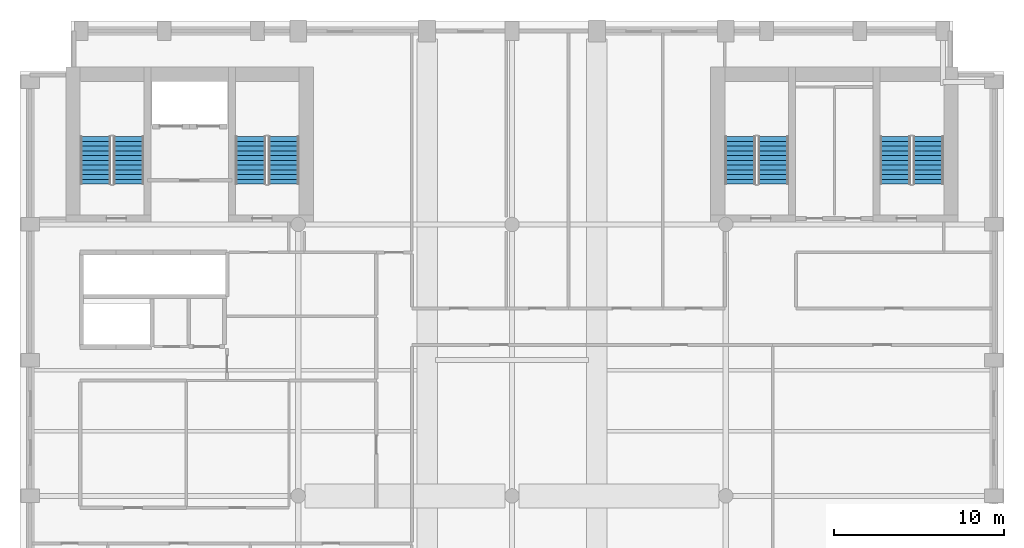
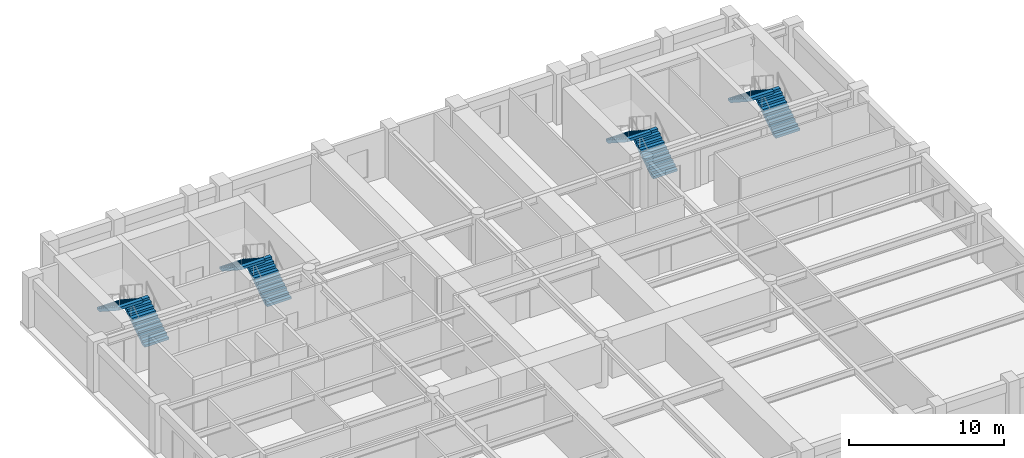
# One storey, part 6 of 8: 8 stair flights, 4 elements without a shape of their own.
"""IFC4 building model written with IfcOpenShell, lengths in metres."""

import ifcopenshell
import ifcopenshell.guid

model = None  # the IFC model being written
_history = None  # IfcOwnerHistory: only IFC2X3 demands one
_inside = {}  # id of a spatial element -> (the spatial element, [elements in it])
_under = {}  # id of a project, library or spatial element -> (it, [spatial elements below it])
_declared = {}  # id of a project -> (the project, [libraries it declares])
_typed = {}  # id of a type object -> (the type object, [elements of that type])
_made_of = {}  # id of a material, layer set ... -> (it, [elements and type objects made of it])


def new_model(schema):
    """Start an empty IFC model of exactly this schema.

    Asked for "IFC4X3", IfcOpenShell would pick the latest addendum, in which some entities
    have other attributes; the version numbers below select the first issue.
    IFC2X3 requires an IfcOwnerHistory on every rooted entity: one is made here for all.
    """
    global model, _history
    if schema == "IFC4X3":
        model = ifcopenshell.file(schema_version=(4, 3, 0, 0))
    else:
        model = ifcopenshell.file(schema=schema)
    _inside.clear()
    _under.clear()
    _declared.clear()
    _typed.clear()
    _made_of.clear()
    _history = None
    if model.schema == "IFC2X3":
        org = make("IfcOrganization", Name="unknown")
        user = make(
            "IfcPersonAndOrganization",
            ThePerson=make("IfcPerson", FamilyName="unknown"),
            TheOrganization=org,
        )
        app = make(
            "IfcApplication",
            ApplicationDeveloper=org,
            Version="unknown",
            ApplicationFullName="unknown",
            ApplicationIdentifier="unknown",
        )
        _history = make(
            "IfcOwnerHistory",
            OwningUser=user,
            OwningApplication=app,
            ChangeAction="ADDED",
            CreationDate=0,
        )
    return model


def make(cls, **values):
    """One entity of the class cls with the attributes given. An attribute that is None is left unset."""
    return model.create_entity(
        cls, **{name: value for name, value in values.items() if value is not None}
    )


def rooted(cls, **values):
    """An entity with a GlobalId (a new one), such as an element, a storey or a relation."""
    return make(cls, GlobalId=ifcopenshell.guid.new(), OwnerHistory=_history, **values)


def si_unit(unit_type, name, prefix=None):
    """IfcSIUnit, for example si_unit("LENGTHUNIT", "METRE", prefix="MILLI")."""
    return make("IfcSIUnit", UnitType=unit_type, Prefix=prefix, Name=name)


def assignment(units):
    """IfcUnitAssignment: the units of a project."""
    return None if units is None else make("IfcUnitAssignment", Units=units)


def point(xyz):
    """IfcCartesianPoint."""
    return None if xyz is None else make("IfcCartesianPoint", Coordinates=xyz)


def direction(xyz):
    """IfcDirection."""
    return None if xyz is None else make("IfcDirection", DirectionRatios=xyz)


def frame(location, z_axis=None, x_axis=None):
    """IfcAxis2Placement3D, a coordinate frame: its origin and axes. An axis left out is left unset."""
    return make(
        "IfcAxis2Placement3D",
        Location=point(location),
        Axis=direction(z_axis),
        RefDirection=direction(x_axis),
    )


def origin():
    """The frame at (0, 0, 0) with its axes left unset."""
    return frame((0.0, 0.0, 0.0))


def place(relative_to, where):
    """IfcLocalPlacement: puts the frame where relative to a parent placement (None: the world)."""
    return make(
        "IfcLocalPlacement", PlacementRelTo=relative_to, RelativePlacement=where
    )


def context(
    kind, dimensions, precision=None, world=None, true_north=None, identifier=None
):
    """IfcGeometricRepresentationContext, for example the 3D "Model" context."""
    return make(
        "IfcGeometricRepresentationContext",
        ContextIdentifier=identifier,
        ContextType=kind,
        CoordinateSpaceDimension=dimensions,
        Precision=precision,
        WorldCoordinateSystem=world,
        TrueNorth=true_north,
    )


def subcontext(parent, identifier, kind, view, scale=None):
    """IfcGeometricRepresentationSubContext, for example "Body" below "Model"."""
    return make(
        "IfcGeometricRepresentationSubContext",
        ContextIdentifier=identifier,
        ContextType=kind,
        ParentContext=parent,
        TargetScale=scale,
        TargetView=view,
    )


def project(units=None, contexts=None):
    """IfcProject with its units and contexts."""
    return rooted(
        "IfcProject",
        Name="project",
        RepresentationContexts=contexts,
        UnitsInContext=assignment(units),
    )


def spatial(cls, under=None, at=None, **own):
    """A site, building, storey or space (cls), placed at a placement, below another one or the project."""
    s = rooted(cls, ObjectPlacement=at, **own)
    if under is not None:
        _under.setdefault(under.id(), (under, []))[1].append(s)
    return s


def polyline(points):
    """IfcPolyline through the points."""
    return make("IfcPolyline", Points=[point(p) for p in points])


def outline(outer, holes=None, kind="AREA"):
    """IfcArbitraryClosedProfileDef: a profile drawn as a closed curve; with holes, ...WithVoids."""
    if holes is None:
        return make("IfcArbitraryClosedProfileDef", ProfileType=kind, OuterCurve=outer)
    return make(
        "IfcArbitraryProfileDefWithVoids",
        ProfileType=kind,
        OuterCurve=outer,
        InnerCurves=holes,
    )


def extrude(swept, where, along, depth):
    """IfcExtrudedAreaSolid: the profile swept, set in the frame where, extruded along a direction by depth."""
    return make(
        "IfcExtrudedAreaSolid",
        SweptArea=swept,
        Position=where,
        ExtrudedDirection=direction(along),
        Depth=depth,
    )


def shape(context_of_items, identifier, shape_type, items):
    """IfcShapeRepresentation: the items that make up one representation, for example the "Body"."""
    return make(
        "IfcShapeRepresentation",
        ContextOfItems=context_of_items,
        RepresentationIdentifier=identifier,
        RepresentationType=shape_type,
        Items=items,
    )


def material(Name=None, Category=None):
    """IfcMaterial."""
    return make("IfcMaterial", Name=Name, Category=Category)


def made_of(thing, what):
    """Note that an element or type object is made of a material, layer set ...; save() writes the relation."""
    if what is not None:
        _made_of.setdefault(what.id(), (what, []))[1].append(thing)
    return thing


def type_object(cls, material=None, **own):
    """A type object (cls), such as IfcWallType, which elements share."""
    return made_of(rooted(cls, **own), material)


def element(
    cls,
    number,
    at=None,
    inside=None,
    cuts=None,
    type_object=None,
    material=None,
    context=None,
    identifier="Body",
    shape_type=None,
    held_by="IfcProductDefinitionShape",
    body=None,
    shapes=None,
    **own,
):
    """One element of the class cls, such as IfcWall. Its Tag is "e" and its number.

    at: its placement. inside: the storey or other place that contains it. cuts: it is an
    opening in that element (IfcRelVoidsElement). A single representation is given by context,
    identifier, shape_type and body (its items); several are given by shapes. held_by: the class
    of the entity that holds the representations. save() writes the other relations.
    """
    e = rooted(cls, Tag="e%d" % number, ObjectPlacement=at, **own)
    if body is not None:
        shapes = [shape(context, identifier, shape_type, body)]
    if shapes is not None:
        e.Representation = make(held_by, Representations=shapes)
    if inside is not None:
        _inside.setdefault(inside.id(), (inside, []))[1].append(e)
    if cuts is not None:
        rooted(
            "IfcRelVoidsElement", RelatingBuildingElement=cuts, RelatedOpeningElement=e
        )
    if type_object is not None:
        _typed.setdefault(type_object.id(), (type_object, []))[1].append(e)
    return made_of(e, material)


def aggregate(whole, parts):
    """IfcRelAggregates: a whole, such as a stair, and the parts it consists of."""
    return rooted("IfcRelAggregates", RelatingObject=whole, RelatedObjects=parts)


def save(model, path):
    """Write the relations noted so far, then the file.

    IfcRelAggregates (storeys below a building ...), IfcRelContainedInSpatialStructure (elements
    in a storey), IfcRelDefinesByType, IfcRelAssociatesMaterial and IfcRelDeclares: one each for
    every whole, place, type object, material and project.
    """
    for whole, parts in _under.values():
        aggregate(whole, parts)
    for where, things in _inside.values():
        rooted(
            "IfcRelContainedInSpatialStructure",
            RelatedElements=things,
            RelatingStructure=where,
        )
    for kind, things in _typed.values():
        rooted("IfcRelDefinesByType", RelatedObjects=things, RelatingType=kind)
    for what, things in _made_of.values():
        rooted("IfcRelAssociatesMaterial", RelatedObjects=things, RelatingMaterial=what)
    for by, libraries in _declared.values():
        rooted("IfcRelDeclares", RelatingContext=by, RelatedDefinitions=libraries)
    model.write(path)


model = new_model("IFC4")

# Units and contexts
model_context = context("Model", 3, precision=1e-05, world=origin(), true_north=direction((0.0, 1.0)))
body_context = subcontext(model_context, "Body", "Model", "MODEL_VIEW")
ifc_project = project(units=[si_unit("LENGTHUNIT", "METRE"), si_unit("AREAUNIT", "SQUARE_METRE"), si_unit("VOLUMEUNIT", "CUBIC_METRE"), si_unit("PLANEANGLEUNIT", "RADIAN"), si_unit("MASSUNIT", "GRAM", prefix="KILO")], contexts=[model_context])

# Site, building, storey
site_placement = place(None, origin())
site = spatial("IfcSite", under=ifc_project, at=site_placement, CompositionType="ELEMENT")
building_placement = place(site_placement, origin())
building = spatial("IfcBuilding", under=site, at=building_placement, Name="Sulina Concourse Tower", CompositionType="ELEMENT")
storey_placement = place(building_placement, frame((0.0, 0.0, 178.60009765625)))
storey = spatial("IfcBuildingStorey", under=building, at=storey_placement, Name="L43", CompositionType="ELEMENT", Elevation=178.60009765625)

# Stair, stair flights
ifc_material_1 = material(Name="Concrete C50/60", Category="concrete")
stair_type_1 = type_object("IfcStairType", Name="Portal & Podium Core Exit Stair 1820mm", PredefinedType="HALF_TURN_STAIR", material=ifc_material_1)
stair_1_placement = place(storey_placement, origin())
stair_1 = element("IfcStair", 1, at=stair_1_placement, inside=storey, type_object=stair_type_1, Name="L43 ST-3", PredefinedType="HALF_TURN_STAIR")
ifc_material_2 = material(Name="Concrete C50/60", Category="concrete")
stair_flight_type_1 = type_object("IfcStairFlightType", Name="Portal & Podium Core Exit Stair 1820mm Flight", PredefinedType="STRAIGHT", material=ifc_material_2)
stair_flight_1_placement = place(storey_placement, frame((44.405029296875, 36.375, 0.0), z_axis=(0.0, 0.0, 1.0), x_axis=(0.0, 1.0, 0.0)))
stair_flight_1 = element("IfcStairFlight", 2, at=stair_flight_1_placement, type_object=stair_flight_type_1, Name="ST-3 flight 1", NumberOfRisers=11, NumberOfTreads=10, PredefinedType="STRAIGHT", RiserHeight=0.181818182, TreadLength=0.28, context=body_context, shape_type="SweptSolid", body=[
    extrude(outline(polyline([(0.0, 0.0), (0.0, 0.181884765625), (0.280029296875, 0.181884765625), (0.280029296875, 0.363525390625), (0.56005859375, 0.363525390625), (0.56005859375, 0.54541015625), (0.840087890625, 0.54541015625), (0.840087890625, 0.727294921875), (1.1201171875, 0.727294921875), (1.1201171875, 0.9091796875), (1.39990234375, 0.9091796875), (1.39990234375, 1.0908203125), (1.679931640625, 1.0908203125), (1.679931640625, 1.272705078125), (1.9599609375, 1.272705078125), (1.9599609375, 1.45458984375), (2.239990234375, 1.45458984375), (2.239990234375, 1.636474609375), (2.52001953125, 1.636474609375), (2.52001953125, 1.818115234375), (2.800048828125, 1.818115234375), (2.800048828125, 2.0), (2.800048828125, 1.603759765625), (0.330322265625, 0.0), (0.0, 0.0)])), frame((0.0, 0.89990234375, 0.0), z_axis=(0.0, -1.0, 0.0), x_axis=(1.0, 0.0, 0.0)), (0.0, 0.0, 1.0), 1.800048828125),
])
stair_flight_2_placement = place(storey_placement, frame((42.455078125, 39.175048828125, 2.0), z_axis=(0.0, 0.0, 1.0), x_axis=(0.0, -1.0, 0.0)))
stair_flight_2 = element("IfcStairFlight", 3, at=stair_flight_2_placement, type_object=stair_flight_type_1, Name="ST-3 flight 2", NumberOfRisers=11, NumberOfTreads=10, PredefinedType="STRAIGHT", RiserHeight=0.181818182, TreadLength=0.28, context=body_context, shape_type="SweptSolid", body=[
    extrude(outline(polyline([(0.0, 0.0), (0.0, 0.181884765625), (0.280029296875, 0.181884765625), (0.280029296875, 0.363525390625), (0.56005859375, 0.363525390625), (0.56005859375, 0.54541015625), (0.840087890625, 0.54541015625), (0.840087890625, 0.727294921875), (1.1201171875, 0.727294921875), (1.1201171875, 0.9091796875), (1.39990234375, 0.9091796875), (1.39990234375, 1.0908203125), (1.679931640625, 1.0908203125), (1.679931640625, 1.272705078125), (1.9599609375, 1.272705078125), (1.9599609375, 1.45458984375), (2.239990234375, 1.45458984375), (2.239990234375, 1.636474609375), (2.52001953125, 1.636474609375), (2.52001953125, 1.818115234375), (2.800048828125, 1.818115234375), (2.800048828125, 2.0), (2.800048828125, 1.603759765625), (0.330322265625, 0.0), (0.0, 0.0)])), frame((0.0, 0.89990234375, 0.0), z_axis=(0.0, -1.0, 0.0), x_axis=(1.0, 0.0, 0.0)), (0.0, 0.0, 1.0), 1.800048828125),
])
aggregate(stair_1, [stair_flight_1, stair_flight_2])

stair_2_placement = place(storey_placement, origin())
stair_2 = element("IfcStair", 4, at=stair_2_placement, inside=storey, type_object=stair_type_1, Name="L43 ST-4", PredefinedType="HALF_TURN_STAIR")
stair_flight_3_placement = place(storey_placement, frame((53.544921875, 36.375, 0.0), z_axis=(0.0, 0.0, 1.0), x_axis=(0.0, 1.0, 0.0)))
stair_flight_3 = element("IfcStairFlight", 5, at=stair_flight_3_placement, type_object=stair_flight_type_1, Name="ST-4 flight 1", NumberOfRisers=11, NumberOfTreads=10, PredefinedType="STRAIGHT", RiserHeight=0.181818182, TreadLength=0.28, context=body_context, shape_type="SweptSolid", body=[
    extrude(outline(polyline([(0.0, 0.0), (0.0, 0.181884765625), (0.280029296875, 0.181884765625), (0.280029296875, 0.363525390625), (0.56005859375, 0.363525390625), (0.56005859375, 0.54541015625), (0.840087890625, 0.54541015625), (0.840087890625, 0.727294921875), (1.1201171875, 0.727294921875), (1.1201171875, 0.9091796875), (1.39990234375, 0.9091796875), (1.39990234375, 1.0908203125), (1.679931640625, 1.0908203125), (1.679931640625, 1.272705078125), (1.9599609375, 1.272705078125), (1.9599609375, 1.45458984375), (2.239990234375, 1.45458984375), (2.239990234375, 1.636474609375), (2.52001953125, 1.636474609375), (2.52001953125, 1.818115234375), (2.800048828125, 1.818115234375), (2.800048828125, 2.0), (2.800048828125, 1.603759765625), (0.330322265625, 0.0), (0.0, 0.0)])), frame((0.0, 0.89990234375, 0.0), z_axis=(0.0, -1.0, 0.0), x_axis=(1.0, 0.0, 0.0)), (0.0, 0.0, 1.0), 1.800048828125),
])
stair_flight_4_placement = place(storey_placement, frame((51.594970703125, 39.175048828125, 2.0), z_axis=(0.0, 0.0, 1.0), x_axis=(0.0, -1.0, 0.0)))
stair_flight_4 = element("IfcStairFlight", 6, at=stair_flight_4_placement, type_object=stair_flight_type_1, Name="ST-4 flight 2", NumberOfRisers=11, NumberOfTreads=10, PredefinedType="STRAIGHT", RiserHeight=0.181818182, TreadLength=0.28, context=body_context, shape_type="SweptSolid", body=[
    extrude(outline(polyline([(0.0, 0.0), (0.0, 0.181884765625), (0.280029296875, 0.181884765625), (0.280029296875, 0.363525390625), (0.56005859375, 0.363525390625), (0.56005859375, 0.54541015625), (0.840087890625, 0.54541015625), (0.840087890625, 0.727294921875), (1.1201171875, 0.727294921875), (1.1201171875, 0.9091796875), (1.39990234375, 0.9091796875), (1.39990234375, 1.0908203125), (1.679931640625, 1.0908203125), (1.679931640625, 1.272705078125), (1.9599609375, 1.272705078125), (1.9599609375, 1.45458984375), (2.239990234375, 1.45458984375), (2.239990234375, 1.636474609375), (2.52001953125, 1.636474609375), (2.52001953125, 1.818115234375), (2.800048828125, 1.818115234375), (2.800048828125, 2.0), (2.800048828125, 1.603759765625), (0.330322265625, 0.0), (0.0, 0.0)])), frame((0.0, 0.89990234375, 0.0), z_axis=(0.0, -1.0, 0.0), x_axis=(1.0, 0.0, 0.0)), (0.0, 0.0, 1.0), 1.800048828125),
])
aggregate(stair_2, [stair_flight_3, stair_flight_4])

ifc_material_3 = material(Name="Concrete C50/60", Category="concrete")
stair_type_2 = type_object("IfcStairType", Name="Primary Core Dog-Leg Exit Stair 1800mm", PredefinedType="HALF_TURN_STAIR", material=ifc_material_3)
stair_3_placement = place(storey_placement, origin())
stair_3 = element("IfcStair", 7, at=stair_3_placement, inside=storey, type_object=stair_type_2, Name="L43 ST-1", PredefinedType="HALF_TURN_STAIR")
ifc_material_4 = material(Name="Concrete C50/60", Category="concrete")
stair_flight_type_2 = type_object("IfcStairFlightType", Name="Primary Core Dog-Leg Exit Stair 1800mm Flight", PredefinedType="STRAIGHT", material=ifc_material_4)
stair_flight_5_placement = place(storey_placement, frame((6.405029296875, 36.375, 0.0), z_axis=(0.0, 0.0, 1.0), x_axis=(0.0, 1.0, 0.0)))
stair_flight_5 = element("IfcStairFlight", 8, at=stair_flight_5_placement, type_object=stair_flight_type_2, Name="ST-1 flight 1", NumberOfRisers=11, NumberOfTreads=10, PredefinedType="STRAIGHT", RiserHeight=0.181818182, TreadLength=0.28, context=body_context, shape_type="SweptSolid", body=[
    extrude(outline(polyline([(0.0, 0.0), (0.0, 0.181884765625), (0.280029296875, 0.181884765625), (0.280029296875, 0.363525390625), (0.56005859375, 0.363525390625), (0.56005859375, 0.54541015625), (0.840087890625, 0.54541015625), (0.840087890625, 0.727294921875), (1.1201171875, 0.727294921875), (1.1201171875, 0.9091796875), (1.39990234375, 0.9091796875), (1.39990234375, 1.0908203125), (1.679931640625, 1.0908203125), (1.679931640625, 1.272705078125), (1.9599609375, 1.272705078125), (1.9599609375, 1.45458984375), (2.239990234375, 1.45458984375), (2.239990234375, 1.636474609375), (2.52001953125, 1.636474609375), (2.52001953125, 1.818115234375), (2.800048828125, 1.818115234375), (2.800048828125, 2.0), (2.800048828125, 1.603759765625), (0.330322265625, 0.0), (0.0, 0.0)])), frame((0.0, 0.89990234375, 0.0), z_axis=(0.0, -1.0, 0.0), x_axis=(1.0, 0.0, 0.0)), (0.0, 0.0, 1.0), 1.800048828125),
])
stair_flight_6_placement = place(storey_placement, frame((4.455078125, 39.175048828125, 2.0), z_axis=(0.0, 0.0, 1.0), x_axis=(0.0, -1.0, 0.0)))
stair_flight_6 = element("IfcStairFlight", 9, at=stair_flight_6_placement, type_object=stair_flight_type_2, Name="ST-1 flight 2", NumberOfRisers=11, NumberOfTreads=10, PredefinedType="STRAIGHT", RiserHeight=0.181818182, TreadLength=0.28, context=body_context, shape_type="SweptSolid", body=[
    extrude(outline(polyline([(0.0, 0.0), (0.0, 0.181884765625), (0.280029296875, 0.181884765625), (0.280029296875, 0.363525390625), (0.56005859375, 0.363525390625), (0.56005859375, 0.54541015625), (0.840087890625, 0.54541015625), (0.840087890625, 0.727294921875), (1.1201171875, 0.727294921875), (1.1201171875, 0.9091796875), (1.39990234375, 0.9091796875), (1.39990234375, 1.0908203125), (1.679931640625, 1.0908203125), (1.679931640625, 1.272705078125), (1.9599609375, 1.272705078125), (1.9599609375, 1.45458984375), (2.239990234375, 1.45458984375), (2.239990234375, 1.636474609375), (2.52001953125, 1.636474609375), (2.52001953125, 1.818115234375), (2.800048828125, 1.818115234375), (2.800048828125, 2.0), (2.800048828125, 1.603759765625), (0.330322265625, 0.0), (0.0, 0.0)])), frame((0.0, 0.89990234375, 0.0), z_axis=(0.0, -1.0, 0.0), x_axis=(1.0, 0.0, 0.0)), (0.0, 0.0, 1.0), 1.800048828125),
])
aggregate(stair_3, [stair_flight_5, stair_flight_6])

stair_4_placement = place(storey_placement, origin())
stair_4 = element("IfcStair", 10, at=stair_4_placement, inside=storey, type_object=stair_type_2, Name="L43 ST-2", PredefinedType="HALF_TURN_STAIR")
stair_flight_7_placement = place(storey_placement, frame((15.544921875, 36.375, 0.0), z_axis=(0.0, 0.0, 1.0), x_axis=(0.0, 1.0, 0.0)))
stair_flight_7 = element("IfcStairFlight", 11, at=stair_flight_7_placement, type_object=stair_flight_type_2, Name="ST-2 flight 1", NumberOfRisers=11, NumberOfTreads=10, PredefinedType="STRAIGHT", RiserHeight=0.181818182, TreadLength=0.28, context=body_context, shape_type="SweptSolid", body=[
    extrude(outline(polyline([(0.0, 0.0), (0.0, 0.181884765625), (0.280029296875, 0.181884765625), (0.280029296875, 0.363525390625), (0.56005859375, 0.363525390625), (0.56005859375, 0.54541015625), (0.840087890625, 0.54541015625), (0.840087890625, 0.727294921875), (1.1201171875, 0.727294921875), (1.1201171875, 0.9091796875), (1.39990234375, 0.9091796875), (1.39990234375, 1.0908203125), (1.679931640625, 1.0908203125), (1.679931640625, 1.272705078125), (1.9599609375, 1.272705078125), (1.9599609375, 1.45458984375), (2.239990234375, 1.45458984375), (2.239990234375, 1.636474609375), (2.52001953125, 1.636474609375), (2.52001953125, 1.818115234375), (2.800048828125, 1.818115234375), (2.800048828125, 2.0), (2.800048828125, 1.603759765625), (0.330322265625, 0.0), (0.0, 0.0)])), frame((0.0, 0.89990234375, 0.0), z_axis=(0.0, -1.0, 0.0), x_axis=(1.0, 0.0, 0.0)), (0.0, 0.0, 1.0), 1.800048828125),
])
stair_flight_8_placement = place(storey_placement, frame((13.594970703125, 39.175048828125, 2.0), z_axis=(0.0, 0.0, 1.0), x_axis=(0.0, -1.0, 0.0)))
stair_flight_8 = element("IfcStairFlight", 12, at=stair_flight_8_placement, type_object=stair_flight_type_2, Name="ST-2 flight 2", NumberOfRisers=11, NumberOfTreads=10, PredefinedType="STRAIGHT", RiserHeight=0.181818182, TreadLength=0.28, context=body_context, shape_type="SweptSolid", body=[
    extrude(outline(polyline([(0.0, 0.0), (0.0, 0.181884765625), (0.280029296875, 0.181884765625), (0.280029296875, 0.363525390625), (0.56005859375, 0.363525390625), (0.56005859375, 0.54541015625), (0.840087890625, 0.54541015625), (0.840087890625, 0.727294921875), (1.1201171875, 0.727294921875), (1.1201171875, 0.9091796875), (1.39990234375, 0.9091796875), (1.39990234375, 1.0908203125), (1.679931640625, 1.0908203125), (1.679931640625, 1.272705078125), (1.9599609375, 1.272705078125), (1.9599609375, 1.45458984375), (2.239990234375, 1.45458984375), (2.239990234375, 1.636474609375), (2.52001953125, 1.636474609375), (2.52001953125, 1.818115234375), (2.800048828125, 1.818115234375), (2.800048828125, 2.0), (2.800048828125, 1.603759765625), (0.330322265625, 0.0), (0.0, 0.0)])), frame((0.0, 0.89990234375, 0.0), z_axis=(0.0, -1.0, 0.0), x_axis=(1.0, 0.0, 0.0)), (0.0, 0.0, 1.0), 1.800048828125),
])
aggregate(stair_4, [stair_flight_7, stair_flight_8])

save(model, "model.ifc")
